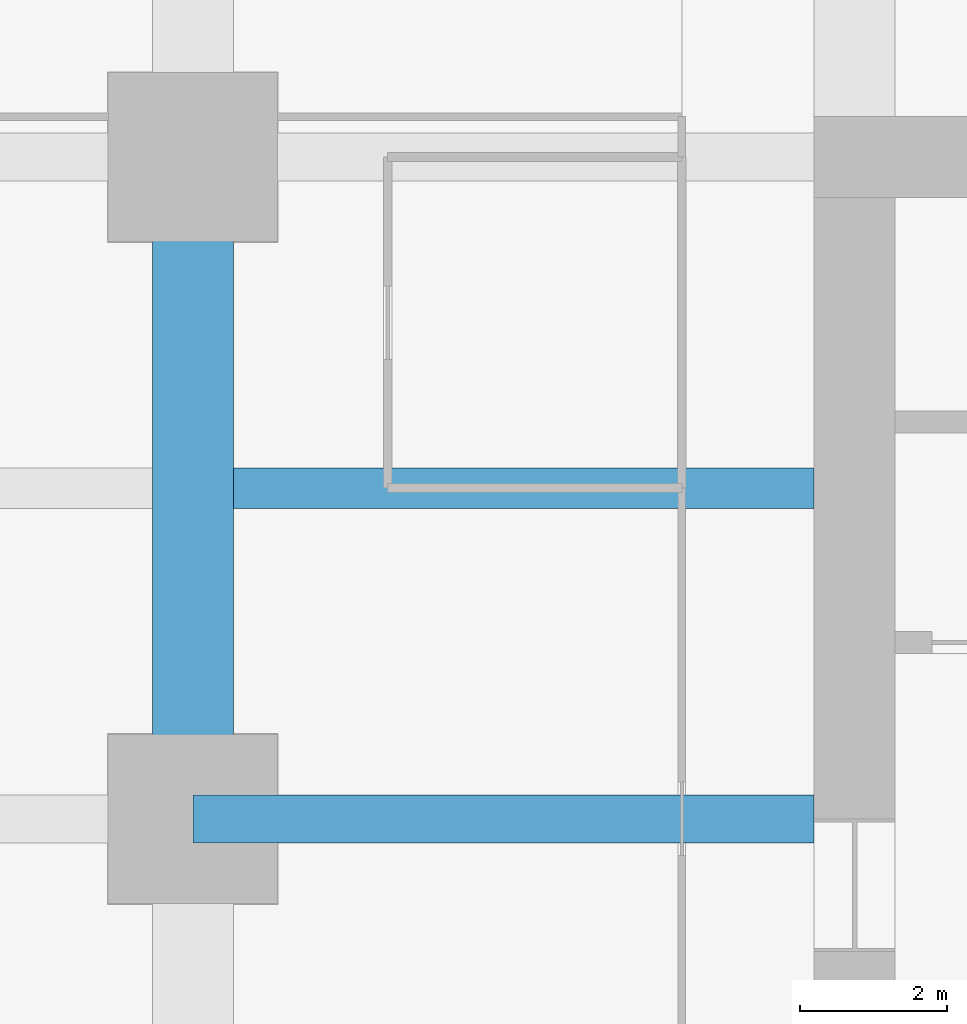
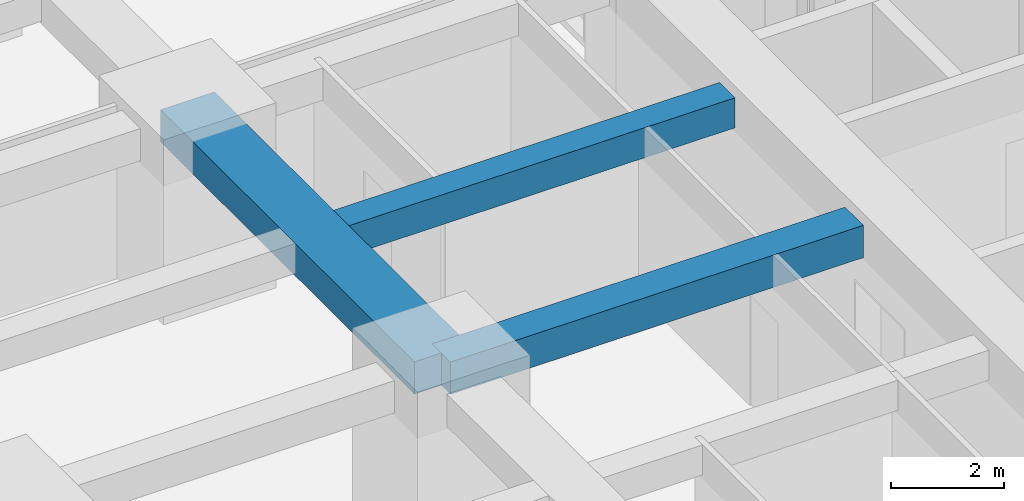
# One storey, part 12 of 45: 3 beams.
"""IFC4 building model written with IfcOpenShell, lengths in metres."""

from ifc_helpers import new_model, si_unit, direction, frame, origin, origin_2d, place, context, subcontext, project, spatial, rectangle, extrude, material, material_profile, profile_set, type_object, element, save


model = new_model("IFC4")

# Units and contexts
model_context = context("Model", 3, precision=1e-05, world=origin(), true_north=direction((0.0, 1.0)))
body_context = subcontext(model_context, "Body", "Model", "MODEL_VIEW")
ifc_project = project(units=[si_unit("LENGTHUNIT", "METRE"), si_unit("AREAUNIT", "SQUARE_METRE"), si_unit("VOLUMEUNIT", "CUBIC_METRE"), si_unit("PLANEANGLEUNIT", "RADIAN"), si_unit("MASSUNIT", "GRAM", prefix="KILO")], contexts=[model_context])

# Site, building, storey
site_placement = place(None, origin())
site = spatial("IfcSite", under=ifc_project, at=site_placement, CompositionType="ELEMENT")
building_placement = place(site_placement, origin())
building = spatial("IfcBuilding", under=site, at=building_placement, Name="Zorevar Civic Tower", CompositionType="ELEMENT")
storey_placement = place(building_placement, frame((0.0, 0.0, 39.800048828125)))
storey = spatial("IfcBuildingStorey", under=building, at=storey_placement, Name="L09", CompositionType="ELEMENT", Elevation=39.800048828125)

# Beams
ifc_material_1 = material(Name="Concrete C50/60", Category="concrete")
ifc_material_profile_1 = material_profile(ifc_material_1, rectangle(XDim=1.10009765625, YDim=0.699951171875, at=origin_2d()), Name="RC 1100x700")
ifc_profile_set_1 = profile_set([ifc_material_profile_1], Name="Concrete C50/60")
beam_type_1 = type_object("IfcBeamType", Name="Beam RC 1100x700", PredefinedType="BEAM", material=ifc_profile_set_1)
beam_1_placement = place(storey_placement, frame((9.0, 27.0, 3.39990234375), z_axis=(0.0, 1.0, 0.0), x_axis=(-1.0, 0.0, 0.0)))
element("IfcBeam", 1, at=beam_1_placement, inside=storey, type_object=beam_type_1, Name="Girder L10", PredefinedType="BEAM", context=body_context, shape_type="SweptSolid", body=[
    extrude(rectangle(XDim=1.10009765625, YDim=0.699951171875, at=origin_2d()), origin(), (0.0, 0.0, 1.0), 9.0),
])
ifc_material_2 = material(Name="Concrete C50/60", Category="concrete")
ifc_material_profile_2 = material_profile(ifc_material_2, rectangle(XDim=0.550048828125, YDim=0.64990234375, at=origin_2d()), Name="RC 550x650")
ifc_profile_set_2 = profile_set([ifc_material_profile_2], Name="Concrete C50/60")
beam_type_2 = type_object("IfcBeamType", Name="Beam RC 550x650", PredefinedType="BEAM", material=ifc_profile_set_2)
beam_2_placement = place(storey_placement, frame((9.550048828125, 31.5, 3.425048828125), z_axis=(1.0, 0.0, 0.0), x_axis=(0.0, 1.0, 0.0)))
element("IfcBeam", 2, at=beam_2_placement, inside=storey, type_object=beam_type_2, Name="Secondary beam L10", PredefinedType="BEAM", context=body_context, shape_type="SweptSolid", body=[
    extrude(rectangle(XDim=0.550048828125, YDim=0.64990234375, at=origin_2d()), origin(), (0.0, 0.0, 1.0), 7.89990234375),
])
ifc_material_3 = material(Name="Concrete C50/60", Category="concrete")
ifc_material_profile_3 = material_profile(ifc_material_3, rectangle(XDim=0.64990234375, YDim=0.699951171875, at=origin_2d()), Name="RC 650x700")
ifc_profile_set_3 = profile_set([ifc_material_profile_3], Name="Concrete C50/60")
beam_type_3 = type_object("IfcBeamType", Name="Beam RC 650x700", PredefinedType="BEAM", material=ifc_profile_set_3)
beam_3_placement = place(storey_placement, frame((9.0, 27.0, 3.39990234375), z_axis=(1.0, 0.0, 0.0), x_axis=(0.0, 1.0, 0.0)))
element("IfcBeam", 3, at=beam_3_placement, inside=storey, type_object=beam_type_3, Name="Girder L10", PredefinedType="BEAM", context=body_context, shape_type="SweptSolid", body=[
    extrude(rectangle(XDim=0.64990234375, YDim=0.699951171875, at=origin_2d()), origin(), (0.0, 0.0, 1.0), 8.449951171875),
])

save(model, "model.ifc")
